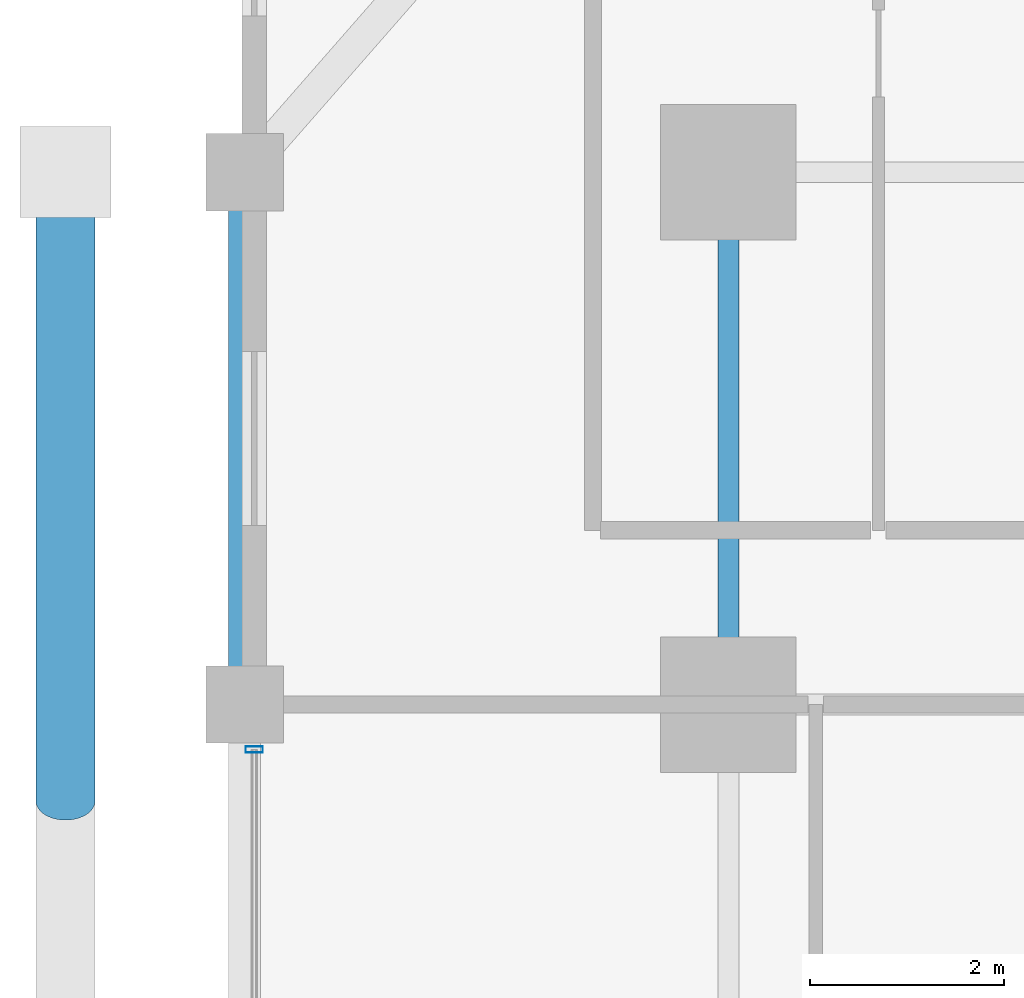
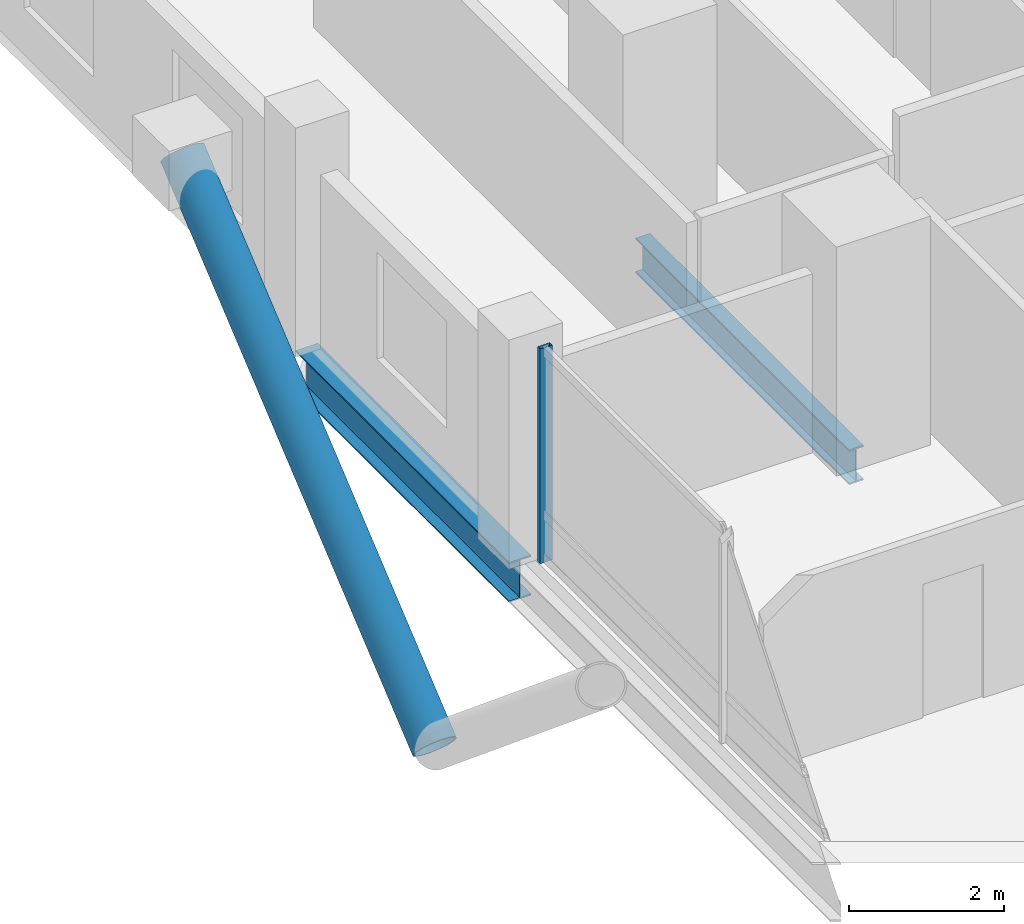
# One storey, part 11 of 24: 2 beams, 2 members, 1 element without a shape of its own.
"""IFC4 building model written with IfcOpenShell, lengths in metres."""

from ifc_helpers import new_model, si_unit, direction, frame, origin, origin_2d, place, context, subcontext, project, spatial, hollow_rectangle, hollow_circle, i_section, extrude, material, layer, layer_set, material_profile, profile_set, type_object, element, aggregate, save


model = new_model("IFC4")

# Units and contexts
model_context = context("Model", 3, precision=1e-05, world=origin(), true_north=direction((0.0, 1.0)))
body_context = subcontext(model_context, "Body", "Model", "MODEL_VIEW")
ifc_project = project(units=[si_unit("LENGTHUNIT", "METRE"), si_unit("AREAUNIT", "SQUARE_METRE"), si_unit("VOLUMEUNIT", "CUBIC_METRE"), si_unit("PLANEANGLEUNIT", "RADIAN"), si_unit("MASSUNIT", "GRAM", prefix="KILO")], contexts=[model_context])

# Site, building, storey
site_placement = place(None, origin())
site = spatial("IfcSite", under=ifc_project, at=site_placement, CompositionType="ELEMENT")
building_placement = place(site_placement, origin())
building = spatial("IfcBuilding", under=site, at=building_placement, Name="Barlavira Tower and Art Museum", CompositionType="ELEMENT")
storey_placement = place(building_placement, frame((0.0, 0.0, 46.800048828125)))
storey = spatial("IfcBuildingStorey", under=building, at=storey_placement, Name="L10", CompositionType="ELEMENT", Elevation=46.800048828125)

# Curtain wall, member
ifc_material_1 = material(Name="Low-iron coastal laminated glass", Category="glass")
ifc_layer = layer(ifc_material_1, 0.179931640625, Name="Low-iron coastal laminated glass")
ifc_layer_set = layer_set([ifc_layer], Name="Low-iron coastal laminated glass")
curtain_wall_type = type_object("IfcCurtainWallType", Name="Pale-Metal Unitised Curtain Wall Zone 1", PredefinedType="NOTDEFINED", material=ifc_layer_set)
curtain_wall_placement = place(storey_placement, origin())
curtain_wall = element("IfcCurtainWall", 1, at=curtain_wall_placement, inside=storey, type_object=curtain_wall_type, Name="L10 Curtain Wall CW1-L10-W-B3", PredefinedType="NOTDEFINED")
ifc_material_2 = material(Name="Pale anodised aluminium", Category="aluminium")
ifc_material_profile_1 = material_profile(ifc_material_2, hollow_rectangle(XDim=0.06494140625, YDim=0.179931640625, WallThickness=0.00390625, at=origin_2d()), Name="ALU-MULL 65x180x4")
ifc_profile_set_1 = profile_set([ifc_material_profile_1], Name="Pale anodised aluminium")
member_type_1 = type_object("IfcMemberType", Name="Curtain Wall Pale-Metal Mullion 65x180", PredefinedType="MULLION", material=ifc_profile_set_1)
member_1_placement = place(storey_placement, frame((-21.89990234375, 7.034912109375, 0.0), z_axis=(0.0, 0.0, 1.0), x_axis=(0.0, -1.0, 0.0)))
member_1 = element("IfcMember", 2, at=member_1_placement, type_object=member_type_1, Name="CW1-L10-W-B3 Mullion 0", PredefinedType="MULLION", context=body_context, shape_type="SweptSolid", body=[
    extrude(hollow_rectangle(XDim=0.06494140625, YDim=0.179931640625, WallThickness=0.00390625, at=origin_2d()), origin(), (0.0, 0.0, 1.0), 3.3798828125),
])
aggregate(curtain_wall, [member_1])

# Member
ifc_material_3 = material(Name="Steel S355", Category="steel")
ifc_material_profile_2 = material_profile(ifc_material_3, hollow_circle(Radius=0.304931640625, WallThickness=0.028076171875, at=origin_2d()), Name="CHS 610.0x28.0")
ifc_profile_set_2 = profile_set([ifc_material_profile_2], Name="Steel S355")
member_type_2 = type_object("IfcMemberType", Name="Pale-Metal Exoskeleton Diagrid Tube CHS 610x28 Steel S355", PredefinedType="BRACE", material=ifc_profile_set_2)
member_2_placement = place(storey_placement, frame((-23.85009765625, 6.5, -1.920166015625), z_axis=(0.0, 0.76918185268, 0.639029950399), x_axis=(-1.0, 0.0, 0.0)))
element("IfcMember", 3, at=member_2_placement, inside=storey, type_object=member_type_2, Name="L10 Exoskeleton Diagrid Tube W", PredefinedType="BRACE", context=body_context, shape_type="SweptSolid", body=[
    extrude(hollow_circle(Radius=0.304931640625, WallThickness=0.028076171875, at=origin_2d()), origin(), (0.0, 0.0, 1.0), 8.450439453125),
])

# Beams
ifc_material_profile_3 = material_profile(ifc_material_3, i_section(OverallWidth=0.327880859375, OverallDepth=0.62890625, WebThickness=0.013916015625, FlangeThickness=0.021484375, at=origin_2d()), Name="W610x174.0")
ifc_profile_set_3 = profile_set([ifc_material_profile_3], Name="Steel S355")
beam_type_1 = type_object("IfcBeamType", Name="Perimeter Spandrel Edge Beam W610x174 Steel S355", PredefinedType="SPANDREL", material=ifc_profile_set_3)
beam_1_placement = place(storey_placement, frame((-22.0, 7.5, -0.53466796875), z_axis=(0.0, 1.0, 0.0), x_axis=(-1.0, 0.0, 0.0)))
element("IfcBeam", 4, at=beam_1_placement, inside=storey, type_object=beam_type_1, Name="L10 Spandrel 13", PredefinedType="SPANDREL", context=body_context, shape_type="SweptSolid", body=[
    extrude(i_section(OverallWidth=0.327880859375, OverallDepth=0.62890625, WebThickness=0.013916015625, FlangeThickness=0.021484375, at=origin_2d()), origin(), (0.0, 0.0, 1.0), 5.5),
])
ifc_material_profile_4 = material_profile(ifc_material_3, i_section(OverallWidth=0.214111328125, OverallDepth=0.549072265625, WebThickness=0.0146484375, FlangeThickness=0.023681640625, at=origin_2d()), Name="W530x138.0")
ifc_profile_set_4 = profile_set([ifc_material_profile_4], Name="Steel S355")
beam_type_2 = type_object("IfcBeamType", Name="Zone 1 Primary Floor Girder W530x138 Steel S355", PredefinedType="BEAM", material=ifc_profile_set_4)
beam_2_placement = place(storey_placement, frame((-17.0, 7.5, -0.49462890625), z_axis=(0.0, 1.0, 0.0), x_axis=(-1.0, 0.0, 0.0)))
element("IfcBeam", 5, at=beam_2_placement, inside=storey, type_object=beam_type_2, Name="L10 Girder M-W3", PredefinedType="BEAM", context=body_context, shape_type="SweptSolid", body=[
    extrude(i_section(OverallWidth=0.214111328125, OverallDepth=0.549072265625, WebThickness=0.0146484375, FlangeThickness=0.023681640625, at=origin_2d()), origin(), (0.0, 0.0, 1.0), 5.5),
])

save(model, "model.ifc")
